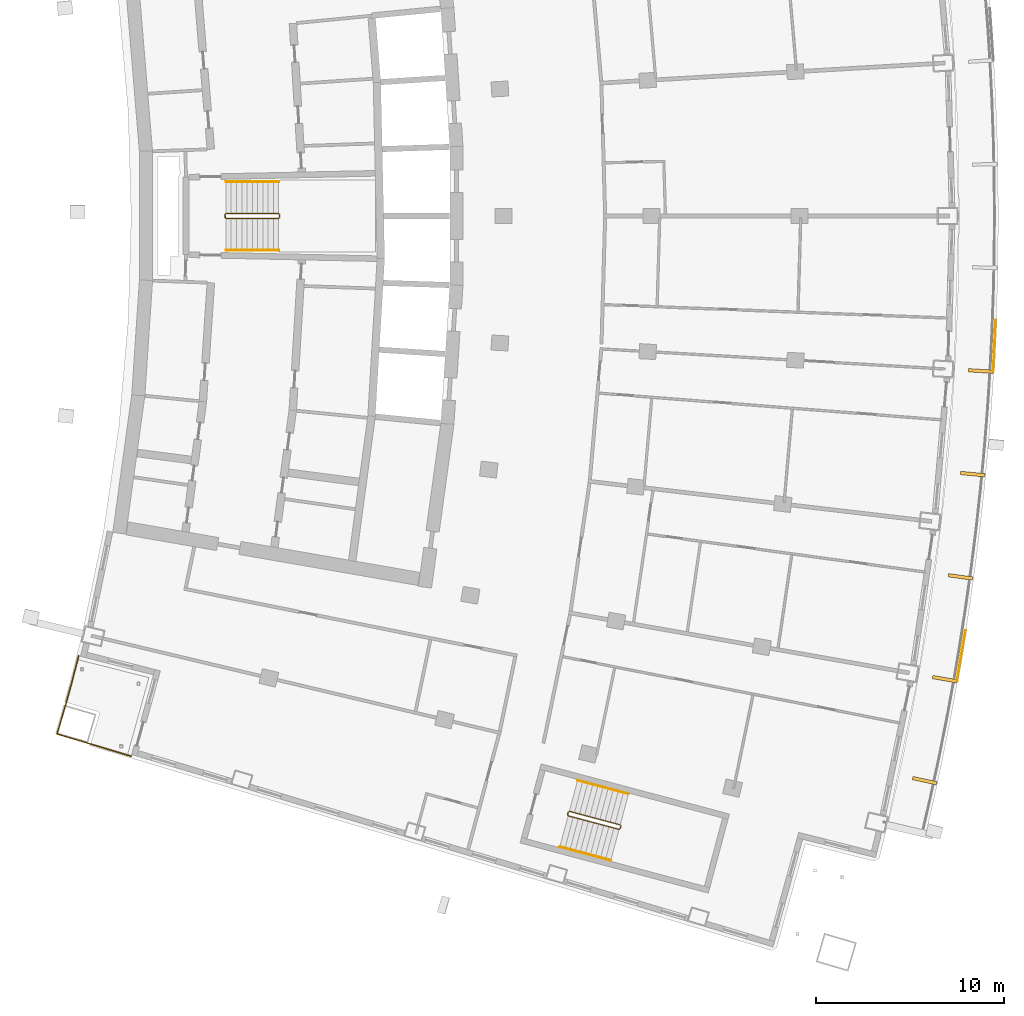
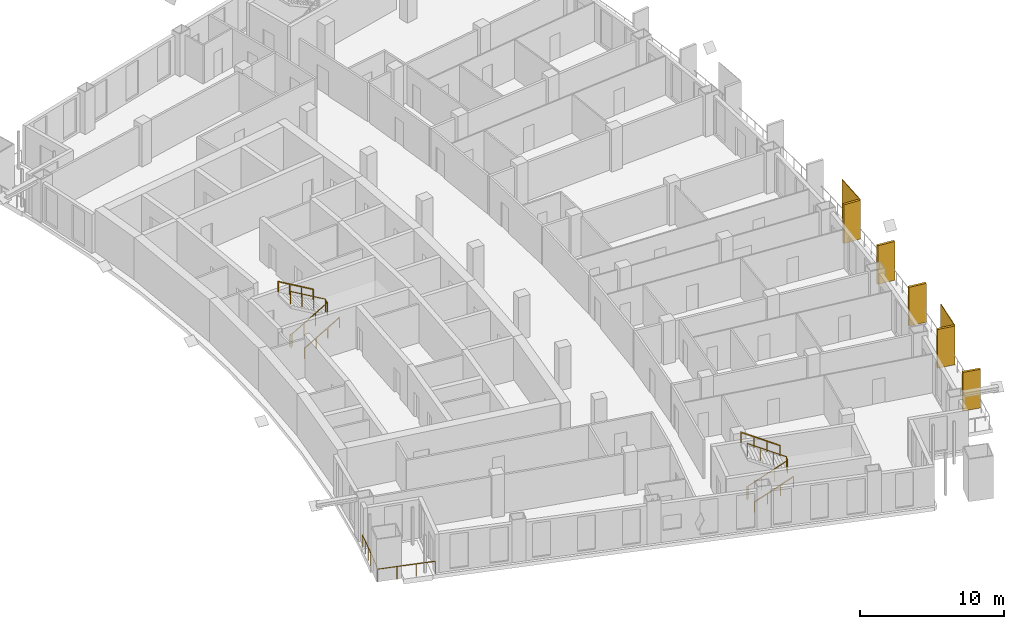
# One storey, part 18 of 20: 7 railings, 7 shading devices.
"""IFC4 building model written with IfcOpenShell, lengths in metres."""

import ifcopenshell
import ifcopenshell.guid

model = None  # the IFC model being written
_history = None  # IfcOwnerHistory: only IFC2X3 demands one
_inside = {}  # id of a spatial element -> (the spatial element, [elements in it])
_under = {}  # id of a project, library or spatial element -> (it, [spatial elements below it])
_declared = {}  # id of a project -> (the project, [libraries it declares])
_typed = {}  # id of a type object -> (the type object, [elements of that type])
_made_of = {}  # id of a material, layer set ... -> (it, [elements and type objects made of it])


def new_model(schema):
    """Start an empty IFC model of exactly this schema.

    Asked for "IFC4X3", IfcOpenShell would pick the latest addendum, in which some entities
    have other attributes; the version numbers below select the first issue.
    IFC2X3 requires an IfcOwnerHistory on every rooted entity: one is made here for all.
    """
    global model, _history
    if schema == "IFC4X3":
        model = ifcopenshell.file(schema_version=(4, 3, 0, 0))
    else:
        model = ifcopenshell.file(schema=schema)
    _inside.clear()
    _under.clear()
    _declared.clear()
    _typed.clear()
    _made_of.clear()
    _history = None
    if model.schema == "IFC2X3":
        org = make("IfcOrganization", Name="unknown")
        user = make(
            "IfcPersonAndOrganization",
            ThePerson=make("IfcPerson", FamilyName="unknown"),
            TheOrganization=org,
        )
        app = make(
            "IfcApplication",
            ApplicationDeveloper=org,
            Version="unknown",
            ApplicationFullName="unknown",
            ApplicationIdentifier="unknown",
        )
        _history = make(
            "IfcOwnerHistory",
            OwningUser=user,
            OwningApplication=app,
            ChangeAction="ADDED",
            CreationDate=0,
        )
    return model


def make(cls, **values):
    """One entity of the class cls with the attributes given. An attribute that is None is left unset."""
    return model.create_entity(
        cls, **{name: value for name, value in values.items() if value is not None}
    )


def rooted(cls, **values):
    """An entity with a GlobalId (a new one), such as an element, a storey or a relation."""
    return make(cls, GlobalId=ifcopenshell.guid.new(), OwnerHistory=_history, **values)


def si_unit(unit_type, name, prefix=None):
    """IfcSIUnit, for example si_unit("LENGTHUNIT", "METRE", prefix="MILLI")."""
    return make("IfcSIUnit", UnitType=unit_type, Prefix=prefix, Name=name)


def assignment(units):
    """IfcUnitAssignment: the units of a project."""
    return None if units is None else make("IfcUnitAssignment", Units=units)


def point(xyz):
    """IfcCartesianPoint."""
    return None if xyz is None else make("IfcCartesianPoint", Coordinates=xyz)


def direction(xyz):
    """IfcDirection."""
    return None if xyz is None else make("IfcDirection", DirectionRatios=xyz)


def frame(location, z_axis=None, x_axis=None):
    """IfcAxis2Placement3D, a coordinate frame: its origin and axes. An axis left out is left unset."""
    return make(
        "IfcAxis2Placement3D",
        Location=point(location),
        Axis=direction(z_axis),
        RefDirection=direction(x_axis),
    )


def frame_2d(location, x_axis=None):
    """IfcAxis2Placement2D, a coordinate frame in the plane: its origin and x axis."""
    return make(
        "IfcAxis2Placement2D", Location=point(location), RefDirection=direction(x_axis)
    )


def origin():
    """The frame at (0, 0, 0) with its axes left unset."""
    return frame((0.0, 0.0, 0.0))


def origin_with_axes():
    """The frame at (0, 0, 0) with the z axis (0, 0, 1) and the x axis (1, 0, 0) written out."""
    return frame((0.0, 0.0, 0.0), z_axis=(0.0, 0.0, 1.0), x_axis=(1.0, 0.0, 0.0))


def origin_2d():
    """The frame at (0, 0) in the plane with its x axis left unset."""
    return frame_2d((0.0, 0.0))


def place(relative_to, where):
    """IfcLocalPlacement: puts the frame where relative to a parent placement (None: the world)."""
    return make(
        "IfcLocalPlacement", PlacementRelTo=relative_to, RelativePlacement=where
    )


def context(
    kind, dimensions, precision=None, world=None, true_north=None, identifier=None
):
    """IfcGeometricRepresentationContext, for example the 3D "Model" context."""
    return make(
        "IfcGeometricRepresentationContext",
        ContextIdentifier=identifier,
        ContextType=kind,
        CoordinateSpaceDimension=dimensions,
        Precision=precision,
        WorldCoordinateSystem=world,
        TrueNorth=true_north,
    )


def subcontext(parent, identifier, kind, view, scale=None):
    """IfcGeometricRepresentationSubContext, for example "Body" below "Model"."""
    return make(
        "IfcGeometricRepresentationSubContext",
        ContextIdentifier=identifier,
        ContextType=kind,
        ParentContext=parent,
        TargetScale=scale,
        TargetView=view,
    )


def project(units=None, contexts=None):
    """IfcProject with its units and contexts."""
    return rooted(
        "IfcProject",
        Name="project",
        RepresentationContexts=contexts,
        UnitsInContext=assignment(units),
    )


def spatial(cls, under=None, at=None, **own):
    """A site, building, storey or space (cls), placed at a placement, below another one or the project."""
    s = rooted(cls, ObjectPlacement=at, **own)
    if under is not None:
        _under.setdefault(under.id(), (under, []))[1].append(s)
    return s


def profile(cls, at=None, kind="AREA", **sizes):
    """A parametric profile (cls). Its sizes go by their IFC names, for example OverallWidth=200.0."""
    return make(cls, ProfileType=kind, Position=at, **sizes)


def rectangle(**sizes):
    """IfcRectangleProfileDef."""
    return profile("IfcRectangleProfileDef", **sizes)


def extrude(swept, where, along, depth):
    """IfcExtrudedAreaSolid: the profile swept, set in the frame where, extruded along a direction by depth."""
    return make(
        "IfcExtrudedAreaSolid",
        SweptArea=swept,
        Position=where,
        ExtrudedDirection=direction(along),
        Depth=depth,
    )


def shape(context_of_items, identifier, shape_type, items):
    """IfcShapeRepresentation: the items that make up one representation, for example the "Body"."""
    return make(
        "IfcShapeRepresentation",
        ContextOfItems=context_of_items,
        RepresentationIdentifier=identifier,
        RepresentationType=shape_type,
        Items=items,
    )


def material(Name=None, Category=None):
    """IfcMaterial."""
    return make("IfcMaterial", Name=Name, Category=Category)


def layer(
    of_material, thickness, ventilated=None, Name=None, Category=None, Priority=None
):
    """IfcMaterialLayer: one layer of a wall or slab, of a material (None: an air gap)."""
    return make(
        "IfcMaterialLayer",
        Material=of_material,
        LayerThickness=thickness,
        IsVentilated=ventilated,
        Name=Name,
        Category=Category,
        Priority=Priority,
    )


def layer_set(layers, Name=None):
    """IfcMaterialLayerSet."""
    return make("IfcMaterialLayerSet", MaterialLayers=layers, LayerSetName=Name)


def made_of(thing, what):
    """Note that an element or type object is made of a material, layer set ...; save() writes the relation."""
    if what is not None:
        _made_of.setdefault(what.id(), (what, []))[1].append(thing)
    return thing


def type_object(cls, material=None, **own):
    """A type object (cls), such as IfcWallType, which elements share."""
    return made_of(rooted(cls, **own), material)


def element(
    cls,
    number,
    at=None,
    inside=None,
    cuts=None,
    type_object=None,
    material=None,
    context=None,
    identifier="Body",
    shape_type=None,
    held_by="IfcProductDefinitionShape",
    body=None,
    shapes=None,
    **own,
):
    """One element of the class cls, such as IfcWall. Its Tag is "e" and its number.

    at: its placement. inside: the storey or other place that contains it. cuts: it is an
    opening in that element (IfcRelVoidsElement). A single representation is given by context,
    identifier, shape_type and body (its items); several are given by shapes. held_by: the class
    of the entity that holds the representations. save() writes the other relations.
    """
    e = rooted(cls, Tag="e%d" % number, ObjectPlacement=at, **own)
    if body is not None:
        shapes = [shape(context, identifier, shape_type, body)]
    if shapes is not None:
        e.Representation = make(held_by, Representations=shapes)
    if inside is not None:
        _inside.setdefault(inside.id(), (inside, []))[1].append(e)
    if cuts is not None:
        rooted(
            "IfcRelVoidsElement", RelatingBuildingElement=cuts, RelatedOpeningElement=e
        )
    if type_object is not None:
        _typed.setdefault(type_object.id(), (type_object, []))[1].append(e)
    return made_of(e, material)


def aggregate(whole, parts):
    """IfcRelAggregates: a whole, such as a stair, and the parts it consists of."""
    return rooted("IfcRelAggregates", RelatingObject=whole, RelatedObjects=parts)


def save(model, path):
    """Write the relations noted so far, then the file.

    IfcRelAggregates (storeys below a building ...), IfcRelContainedInSpatialStructure (elements
    in a storey), IfcRelDefinesByType, IfcRelAssociatesMaterial and IfcRelDeclares: one each for
    every whole, place, type object, material and project.
    """
    for whole, parts in _under.values():
        aggregate(whole, parts)
    for where, things in _inside.values():
        rooted(
            "IfcRelContainedInSpatialStructure",
            RelatedElements=things,
            RelatingStructure=where,
        )
    for kind, things in _typed.values():
        rooted("IfcRelDefinesByType", RelatedObjects=things, RelatingType=kind)
    for what, things in _made_of.values():
        rooted("IfcRelAssociatesMaterial", RelatedObjects=things, RelatingMaterial=what)
    for by, libraries in _declared.values():
        rooted("IfcRelDeclares", RelatingContext=by, RelatedDefinitions=libraries)
    model.write(path)


model = new_model("IFC4")

# Units and contexts
model_context = context("Model", 3, precision=1e-05, world=origin(), true_north=direction((0.0, 1.0)))
body_context = subcontext(model_context, "Body", "Model", "MODEL_VIEW")
ifc_project = project(units=[si_unit("LENGTHUNIT", "METRE"), si_unit("AREAUNIT", "SQUARE_METRE"), si_unit("VOLUMEUNIT", "CUBIC_METRE"), si_unit("PLANEANGLEUNIT", "RADIAN"), si_unit("MASSUNIT", "GRAM", prefix="KILO")], contexts=[model_context])

# Site, building, storey
site_placement = place(None, origin())
site = spatial("IfcSite", under=ifc_project, at=site_placement, CompositionType="ELEMENT")
building_placement = place(site_placement, origin())
building = spatial("IfcBuilding", under=site, at=building_placement, Name="Alderwake Tower", CompositionType="ELEMENT")
storey_placement = place(building_placement, frame((0.0, 0.0, 167.60009765625)))
storey = spatial("IfcBuildingStorey", under=building, at=storey_placement, Name="L41", CompositionType="ELEMENT", Elevation=167.60009765625)

# Railing
ifc_material_1 = material(Name="Stainless steel 316 rail and posts", Category="steel")
railing_type_1 = type_object("IfcRailingType", Name="Balcony guard 1100", PredefinedType="GUARDRAIL", material=ifc_material_1)
railing_1_placement = place(storey_placement, frame((13.210693359375, 37.612548828125, 0.0)))
element("IfcRailing", 1, at=railing_1_placement, inside=storey, type_object=railing_type_1, Name="Guard terrace RS", PredefinedType="GUARDRAIL", context=body_context, shape_type="SweptSolid", body=[
    extrude(rectangle(XDim=0.048095703125, YDim=0.048095703125, at=origin_2d()), frame((0.0, 0.0, 1.076171875), z_axis=(-0.251385381433, -0.967887075026, 0.0), x_axis=(0.967887075026, -0.251385381433, 0.0)), (0.0, 0.0, 1.0), 1.6015625),
    extrude(rectangle(XDim=0.048095703125, YDim=0.048095703125, at=origin_2d()), frame((-0.402587890625, -1.550048828125, 1.076171875), z_axis=(-0.266520638672, -0.963829211615, 0.0), x_axis=(0.963829211615, -0.266520638672, 0.0)), (0.0, 0.0, 1.0), 1.401611328125),
    extrude(rectangle(XDim=0.048095703125, YDim=0.048095703125, at=origin_2d()), frame((-0.776123046875, -2.90087890625, 1.076171875), z_axis=(-0.280093650878, -0.959972680204, 0.0), x_axis=(0.959972680204, -0.280093650878, 0.0)), (0.0, 0.0, 1.0), 1.30126953125),
    extrude(rectangle(XDim=0.048095703125, YDim=0.048095703125, at=origin_2d()), frame((-1.140625, -4.150146484375, 1.076171875), z_axis=(0.958066871889, -0.286544706789, 0.0), x_axis=(0.286544706789, 0.958066871889, 0.0)), (0.0, 0.0, 1.0), 4.099853515625),
    extrude(rectangle(XDim=0.0419921875, YDim=0.0419921875, at=origin_2d()), frame((0.0, 0.0, 0.0), z_axis=(0.0, 0.0, 1.0), x_axis=(-0.251385381433, -0.967887075026, 0.0)), (0.0, 0.0, 1.0), 1.052001953125),
    extrude(rectangle(XDim=0.0419921875, YDim=0.0419921875, at=origin_2d()), frame((-0.201171875, -0.77490234375, 0.0), z_axis=(0.0, 0.0, 1.0), x_axis=(-0.251385381433, -0.967887075026, 0.0)), (0.0, 0.0, 1.0), 1.052001953125),
    extrude(rectangle(XDim=0.0419921875, YDim=0.0419921875, at=origin_2d()), frame((-0.402587890625, -1.550048828125, 0.0), z_axis=(0.0, 0.0, 1.0), x_axis=(-0.266520638672, -0.963829211615, 0.0)), (0.0, 0.0, 1.0), 1.052001953125),
    extrude(rectangle(XDim=0.0419921875, YDim=0.0419921875, at=origin_2d()), frame((-0.58935546875, -2.2255859375, 0.0), z_axis=(0.0, 0.0, 1.0), x_axis=(-0.266520638672, -0.963829211615, 0.0)), (0.0, 0.0, 1.0), 1.052001953125),
    extrude(rectangle(XDim=0.0419921875, YDim=0.0419921875, at=origin_2d()), frame((-0.776123046875, -2.90087890625, 0.0), z_axis=(0.0, 0.0, 1.0), x_axis=(-0.280093650878, -0.959972680204, 0.0)), (0.0, 0.0, 1.0), 1.052001953125),
    extrude(rectangle(XDim=0.0419921875, YDim=0.0419921875, at=origin_2d()), frame((-1.140625, -4.150146484375, 0.0), z_axis=(0.0, 0.0, 1.0), x_axis=(0.958066871889, -0.286544706789, 0.0)), (0.0, 0.0, 1.0), 1.052001953125),
    extrude(rectangle(XDim=0.0419921875, YDim=0.0419921875, at=origin_2d()), frame((0.168701171875, -4.541748046875, 0.0), z_axis=(0.0, 0.0, 1.0), x_axis=(0.958066871889, -0.286544706789, 0.0)), (0.0, 0.0, 1.0), 1.052001953125),
    extrude(rectangle(XDim=0.0419921875, YDim=0.0419921875, at=origin_2d()), frame((1.47802734375, -4.933349609375, 0.0), z_axis=(0.0, 0.0, 1.0), x_axis=(0.958066871889, -0.286544706789, 0.0)), (0.0, 0.0, 1.0), 1.052001953125),
    extrude(rectangle(XDim=0.0419921875, YDim=0.0419921875, at=origin_2d()), frame((2.787353515625, -5.324951171875, 0.0), z_axis=(0.0, 0.0, 1.0), x_axis=(0.958066871889, -0.286544706789, 0.0)), (0.0, 0.0, 1.0), 1.052001953125),
])

# Shading devices
ifc_material_2 = material(Name="Bronze anodised aluminium", Category="aluminium")
ifc_layer_1 = layer(ifc_material_2, 0.179931640625)
ifc_layer_set_1 = layer_set([ifc_layer_1], Name="Facade fin 1300")
shading_device_type_1 = type_object("IfcShadingDeviceType", Name="Facade fin 1300", PredefinedType="USERDEFINED", material=ifc_layer_set_1)
for number, where, z_axis, x_axis, name in (
    (2, (58.177490234375, 30.984619140625, 0.0), (0.0, 0.0, 1.0), (0.977210363881, -0.212273184185, 0.0), "Fin"),
    (3, (59.240234375, 36.381103515625, 0.0), (0.0, 0.0, 1.0), (0.984726421654, -0.174108800747, 0.0), "Fin"),
    (4, (60.09228515625, 41.814697265625, 0.0), (0.0, 0.0, 1.0), (0.990752577235, -0.135680988728, 0.0), "Fin"),
    (5, (60.732666015625, 47.277587890625, 0.0), (0.0, 0.0, 1.0), (0.995279882363, -0.097046152751, 0.0), "Fin"),
    (6, (61.159912109375, 52.760986328125, 0.0), (0.0, 0.0, 1.0), (0.998301080988, -0.058266214038, 0.0), "Fin"),
):
    element("IfcShadingDevice", number, at=place(storey_placement, frame(where, z_axis=z_axis, x_axis=x_axis)), inside=storey, type_object=shading_device_type_1, Name=name, ObjectType="FIN", PredefinedType="USERDEFINED", context=body_context, shape_type="SweptSolid", body=[
        extrude(rectangle(XDim=1.300048828125, YDim=0.179931640625, at=origin_2d()), origin(), (0.0, 0.0, 1.0), 3.280029296875),
    ])
ifc_material_3 = material(Name="Perforated bronze anodised aluminium", Category="aluminium")
ifc_layer_2 = layer(ifc_material_3, 0.050048828125)
ifc_layer_set_2 = layer_set([ifc_layer_2], Name="Perforated screen panel")
shading_device_type_2 = type_object("IfcShadingDeviceType", Name="Perforated screen panel", PredefinedType="USERDEFINED", material=ifc_layer_set_2)
for number, where, z_axis, x_axis, name in (
    (7, (60.1318359375, 37.622802734375, 0.0), (0.0, 0.0, 1.0), (0.986369013299, -0.164548380739, 0.0), "Screen panel"),
    (8, (61.900634765625, 54.09814453125, 0.0), (0.0, 0.0, 1.0), (0.998819231138, -0.048581308217, 0.0), "Screen panel"),
):
    element("IfcShadingDevice", number, at=place(storey_placement, frame(where, z_axis=z_axis, x_axis=x_axis)), inside=storey, type_object=shading_device_type_2, Name=name, ObjectType="SCREEN", PredefinedType="USERDEFINED", context=body_context, shape_type="SweptSolid", body=[
        extrude(rectangle(XDim=0.050048828125, YDim=2.756103515625, at=origin_2d()), origin(), (0.0, 0.0, 1.0), 3.280029296875),
    ])

# Railings
ifc_material_4 = material(Name="Stainless steel guard", Category="steel")
railing_type_2 = type_object("IfcRailingType", Name="Stair guard 1100", PredefinedType="GUARDRAIL", material=ifc_material_4)
railing_2_placement = place(storey_placement, frame((20.989990234375, 60.925048828125, 0.0)))
element("IfcRailing", 9, at=railing_2_placement, inside=storey, type_object=railing_type_2, Name="L41 ST-B stair guard 1", PredefinedType="GUARDRAIL", context=body_context, shape_type="SweptSolid", body=[
    extrude(rectangle(XDim=0.048095703125, YDim=0.048095703125, at=origin_2d()), frame((0.0, 0.0, 1.076171875), z_axis=(0.0, 1.0, 0.0), x_axis=(-1.0, 0.0, 0.0)), (0.0, 0.0, 1.0), 0.14990234375),
    extrude(rectangle(XDim=0.048095703125, YDim=0.048095703125, at=origin_2d()), frame((0.0, 0.14990234375, 1.076171875), z_axis=(0.190199549216, -0.759870394187, 0.621627795), x_axis=(0.970072785993, 0.242814311512, 0.0)), (0.0, 0.0, 1.0), 0.26318359375),
    extrude(rectangle(XDim=0.048095703125, YDim=0.048095703125, at=origin_2d()), frame((0.050048828125, -0.050048828125, 1.23974609375), z_axis=(0.863393664356, 0.0, 0.504530851732), x_axis=(0.0, 1.0, 0.0)), (0.0, 0.0, 1.0), 3.2431640625),
    extrude(rectangle(XDim=0.048095703125, YDim=0.048095703125, at=origin_2d()), frame((2.85009765625, -0.050048828125, 2.8759765625), z_axis=(0.705375805398, 0.708833529934, 0.0), x_axis=(-0.708833529934, 0.705375805398, 0.0)), (0.0, 0.0, 1.0), 0.070556640625),
    extrude(rectangle(XDim=0.048095703125, YDim=0.048095703125, at=origin_2d()), frame((2.89990234375, 0.0, 2.8759765625), z_axis=(0.0, 1.0, 0.0), x_axis=(-1.0, 0.0, 0.0)), (0.0, 0.0, 1.0), 0.14990234375),
    extrude(rectangle(XDim=0.048095703125, YDim=0.048095703125, at=origin_2d()), frame((2.89990234375, 0.14990234375, 2.8759765625), z_axis=(-0.279194930351, 0.280563532951, 0.91833234444), x_axis=(-0.708833529934, -0.705375805398, 0.0)), (0.0, 0.0, 1.0), 0.178466796875),
    extrude(rectangle(XDim=0.048095703125, YDim=0.048095703125, at=origin_2d()), frame((2.85009765625, 0.199951171875, 3.03955078125), z_axis=(-0.863393664356, 0.0, 0.504530851732), x_axis=(0.0, -1.0, 0.0)), (0.0, 0.0, 1.0), 3.2431640625),
    extrude(rectangle(XDim=0.0419921875, YDim=0.0419921875, at=origin_2d()), frame((0.0, 0.0, 0.0), z_axis=(0.0, 0.0, 1.0), x_axis=(0.0, 1.0, 0.0)), (0.0, 0.0, 1.0), 1.052001953125),
    extrude(rectangle(XDim=0.0419921875, YDim=0.0419921875, at=origin_2d()), frame((0.0, 0.14990234375, 0.0), z_axis=(0.0, 0.0, 1.0), x_axis=(0.242814311512, -0.970072785993, 0.0)), (0.0, 0.0, 1.0), 1.052001953125),
    extrude(rectangle(XDim=0.0419921875, YDim=0.0419921875, at=origin_2d()), frame((0.050048828125, -0.050048828125, 0.16357421875), z_axis=(0.0, 0.0, 1.0), x_axis=(1.0, 0.0, 0.0)), (0.0, 0.0, 1.0), 1.052001953125),
    extrude(rectangle(XDim=0.0419921875, YDim=0.0419921875, at=origin_2d()), frame((0.9833984375, -0.050048828125, 0.708984375), z_axis=(0.0, 0.0, 1.0), x_axis=(1.0, 0.0, 0.0)), (0.0, 0.0, 1.0), 1.052001953125),
    extrude(rectangle(XDim=0.0419921875, YDim=0.0419921875, at=origin_2d()), frame((1.916748046875, -0.050048828125, 1.25439453125), z_axis=(0.0, 0.0, 1.0), x_axis=(1.0, 0.0, 0.0)), (0.0, 0.0, 1.0), 1.052001953125),
    extrude(rectangle(XDim=0.0419921875, YDim=0.0419921875, at=origin_2d()), frame((2.85009765625, -0.050048828125, 1.7998046875), z_axis=(0.0, 0.0, 1.0), x_axis=(0.705375805398, 0.708833529934, 0.0)), (0.0, 0.0, 1.0), 1.052001953125),
    extrude(rectangle(XDim=0.0419921875, YDim=0.0419921875, at=origin_2d()), frame((2.89990234375, 0.0, 1.7998046875), z_axis=(0.0, 0.0, 1.0), x_axis=(0.0, 1.0, 0.0)), (0.0, 0.0, 1.0), 1.052001953125),
    extrude(rectangle(XDim=0.0419921875, YDim=0.0419921875, at=origin_2d()), frame((2.89990234375, 0.14990234375, 1.7998046875), z_axis=(0.0, 0.0, 1.0), x_axis=(-0.705375805398, 0.708833529934, 0.0)), (0.0, 0.0, 1.0), 1.052001953125),
    extrude(rectangle(XDim=0.0419921875, YDim=0.0419921875, at=origin_2d()), frame((2.85009765625, 0.199951171875, 1.963623046875), z_axis=(0.0, 0.0, 1.0), x_axis=(-1.0, 0.0, 0.0)), (0.0, 0.0, 1.0), 1.052001953125),
    extrude(rectangle(XDim=0.0419921875, YDim=0.0419921875, at=origin_2d()), frame((1.916748046875, 0.199951171875, 2.509033203125), z_axis=(0.0, 0.0, 1.0), x_axis=(-1.0, 0.0, 0.0)), (0.0, 0.0, 1.0), 1.052001953125),
    extrude(rectangle(XDim=0.0419921875, YDim=0.0419921875, at=origin_2d()), frame((0.9833984375, 0.199951171875, 3.054443359375), z_axis=(0.0, 0.0, 1.0), x_axis=(-1.0, 0.0, 0.0)), (0.0, 0.0, 1.0), 1.052001953125),
    extrude(rectangle(XDim=0.0419921875, YDim=0.0419921875, at=origin_2d()), frame((0.050048828125, 0.199951171875, 3.599853515625), z_axis=(0.0, 0.0, 1.0), x_axis=(-1.0, 0.0, 0.0)), (0.0, 0.0, 1.0), 1.052001953125),
])
railing_3_placement = place(storey_placement, frame((39.1943359375, 29.17431640625, 0.0)))
element("IfcRailing", 10, at=railing_3_placement, inside=storey, type_object=railing_type_2, Name="L41 ST-C stair guard 1", PredefinedType="GUARDRAIL", context=body_context, shape_type="SweptSolid", body=[
    extrude(rectangle(XDim=0.048095703125, YDim=0.048095703125, at=origin_2d()), frame((0.0, 0.0, 1.076171875), z_axis=(0.257459803502, 0.966289009345, 0.0), x_axis=(-0.966289009345, 0.257459803502, 0.0)), (0.0, 0.0, 1.0), 0.14990234375),
    extrude(rectangle(XDim=0.048095703125, YDim=0.048095703125, at=origin_2d()), frame((0.03857421875, 0.144775390625, 1.076171875), z_axis=(-0.012062893862, -0.783160186125, 0.621702991355), x_axis=(0.999881397308, -0.015401016783, 0.0)), (0.0, 0.0, 1.0), 0.26318359375),
    extrude(rectangle(XDim=0.048095703125, YDim=0.048095703125, at=origin_2d()), frame((0.035400390625, -0.061279296875, 1.23974609375), z_axis=(0.834313512087, -0.222222637163, 0.504517653885), x_axis=(0.257380452725, 0.966310148221, 0.0)), (0.0, 0.0, 1.0), 3.2431640625),
    extrude(rectangle(XDim=0.048095703125, YDim=0.048095703125, at=origin_2d()), frame((2.7412109375, -0.781982421875, 2.8759765625), z_axis=(0.865031189262, 0.501718089772, 0.0), x_axis=(-0.501718089772, 0.865031189262, 0.0)), (0.0, 0.0, 1.0), 0.070556640625),
    extrude(rectangle(XDim=0.048095703125, YDim=0.048095703125, at=origin_2d()), frame((2.80224609375, -0.74658203125, 2.8759765625), z_axis=(0.257055032184, 0.966396766566, 0.0), x_axis=(-0.966396766566, 0.257055032184, 0.0)), (0.0, 0.0, 1.0), 0.150146484375),
    extrude(rectangle(XDim=0.048095703125, YDim=0.048095703125, at=origin_2d()), frame((2.8408203125, -0.6015625, 2.8759765625), z_axis=(-0.198375862152, 0.343395457933, 0.918001403477), x_axis=(-0.865898279276, -0.500220121494, 0.0)), (0.0, 0.0, 1.0), 0.178466796875),
    extrude(rectangle(XDim=0.048095703125, YDim=0.048095703125, at=origin_2d()), frame((2.805419921875, -0.540283203125, 3.03955078125), z_axis=(-0.834290631165, 0.222236594766, 0.504549342183), x_axis=(-0.257402139082, -0.966304371715, 0.0)), (0.0, 0.0, 1.0), 3.242919921875),
    extrude(rectangle(XDim=0.0419921875, YDim=0.0419921875, at=origin_2d()), frame((0.0, 0.0, 0.0), z_axis=(0.0, 0.0, 1.0), x_axis=(0.257459803502, 0.966289009345, 0.0)), (0.0, 0.0, 1.0), 1.052001953125),
    extrude(rectangle(XDim=0.0419921875, YDim=0.0419921875, at=origin_2d()), frame((0.03857421875, 0.144775390625, 0.0), z_axis=(0.0, 0.0, 1.0), x_axis=(-0.015401016783, -0.999881397308, 0.0)), (0.0, 0.0, 1.0), 1.052001953125),
    extrude(rectangle(XDim=0.0419921875, YDim=0.0419921875, at=origin_2d()), frame((0.035400390625, -0.061279296875, 0.16357421875), z_axis=(0.0, 0.0, 1.0), x_axis=(0.966310148221, -0.257380452725, 0.0)), (0.0, 0.0, 1.0), 1.052001953125),
    extrude(rectangle(XDim=0.0419921875, YDim=0.0419921875, at=origin_2d()), frame((0.937255859375, -0.301513671875, 0.708984375), z_axis=(0.0, 0.0, 1.0), x_axis=(0.966310148221, -0.257380452725, 0.0)), (0.0, 0.0, 1.0), 1.052001953125),
    extrude(rectangle(XDim=0.0419921875, YDim=0.0419921875, at=origin_2d()), frame((1.83935546875, -0.541748046875, 1.25439453125), z_axis=(0.0, 0.0, 1.0), x_axis=(0.966310148221, -0.257380452725, 0.0)), (0.0, 0.0, 1.0), 1.052001953125),
    extrude(rectangle(XDim=0.0419921875, YDim=0.0419921875, at=origin_2d()), frame((2.7412109375, -0.781982421875, 1.7998046875), z_axis=(0.0, 0.0, 1.0), x_axis=(0.865031189262, 0.501718089772, 0.0)), (0.0, 0.0, 1.0), 1.052001953125),
    extrude(rectangle(XDim=0.0419921875, YDim=0.0419921875, at=origin_2d()), frame((2.80224609375, -0.74658203125, 1.7998046875), z_axis=(0.0, 0.0, 1.0), x_axis=(0.257055032184, 0.966396766566, 0.0)), (0.0, 0.0, 1.0), 1.052001953125),
    extrude(rectangle(XDim=0.0419921875, YDim=0.0419921875, at=origin_2d()), frame((2.8408203125, -0.6015625, 1.7998046875), z_axis=(0.0, 0.0, 1.0), x_axis=(-0.500220121494, 0.865898279276, 0.0)), (0.0, 0.0, 1.0), 1.052001953125),
    extrude(rectangle(XDim=0.0419921875, YDim=0.0419921875, at=origin_2d()), frame((2.805419921875, -0.540283203125, 1.963623046875), z_axis=(0.0, 0.0, 1.0), x_axis=(-0.966304371715, 0.257402139082, 0.0)), (0.0, 0.0, 1.0), 1.052001953125),
    extrude(rectangle(XDim=0.0419921875, YDim=0.0419921875, at=origin_2d()), frame((1.903564453125, -0.300048828125, 2.509033203125), z_axis=(0.0, 0.0, 1.0), x_axis=(-0.966304371715, 0.257402139082, 0.0)), (0.0, 0.0, 1.0), 1.052001953125),
    extrude(rectangle(XDim=0.0419921875, YDim=0.0419921875, at=origin_2d()), frame((1.001708984375, -0.059814453125, 3.054443359375), z_axis=(0.0, 0.0, 1.0), x_axis=(-0.966304371715, 0.257402139082, 0.0)), (0.0, 0.0, 1.0), 1.052001953125),
    extrude(rectangle(XDim=0.0419921875, YDim=0.0419921875, at=origin_2d()), frame((0.099853515625, 0.180419921875, 3.599853515625), z_axis=(0.0, 0.0, 1.0), x_axis=(-0.966304371715, 0.257402139082, 0.0)), (0.0, 0.0, 1.0), 1.052001953125),
])
ifc_material_5 = material(Name="Stainless steel handrail", Category="steel")
railing_type_3 = type_object("IfcRailingType", Name="Stair handrail 900", PredefinedType="HANDRAIL", material=ifc_material_5)
railing_4_placement = place(storey_placement, frame((21.0400390625, 59.175048828125, 0.16357421875)))
element("IfcRailing", 11, at=railing_4_placement, inside=storey, type_object=railing_type_3, Name="L41 ST-B stair handrail 1", PredefinedType="HANDRAIL", context=body_context, shape_type="SweptSolid", body=[
    extrude(rectangle(XDim=0.048095703125, YDim=0.048095703125, at=origin_2d()), frame((0.0, 0.0, 0.8759765625), z_axis=(0.863393664356, 0.0, 0.504530851732), x_axis=(0.0, 1.0, 0.0)), (0.0, 0.0, 1.0), 3.2431640625),
    extrude(rectangle(XDim=0.0419921875, YDim=0.0419921875, at=origin_2d()), origin_with_axes(), (0.0, 0.0, 1.0), 0.851806640625),
    extrude(rectangle(XDim=0.0419921875, YDim=0.0419921875, at=origin_2d()), frame((0.933349609375, 0.0, 0.54541015625), z_axis=(0.0, 0.0, 1.0), x_axis=(1.0, 0.0, 0.0)), (0.0, 0.0, 1.0), 0.851806640625),
    extrude(rectangle(XDim=0.0419921875, YDim=0.0419921875, at=origin_2d()), frame((1.86669921875, 0.0, 1.0908203125), z_axis=(0.0, 0.0, 1.0), x_axis=(1.0, 0.0, 0.0)), (0.0, 0.0, 1.0), 0.851806640625),
    extrude(rectangle(XDim=0.0419921875, YDim=0.0419921875, at=origin_2d()), frame((2.800048828125, 0.0, 1.63623046875), z_axis=(0.0, 0.0, 1.0), x_axis=(1.0, 0.0, 0.0)), (0.0, 0.0, 1.0), 0.851806640625),
])
railing_5_placement = place(storey_placement, frame((23.840087890625, 62.824951171875, 1.963623046875)))
element("IfcRailing", 12, at=railing_5_placement, inside=storey, type_object=railing_type_3, Name="L41 ST-B stair handrail 2", PredefinedType="HANDRAIL", context=body_context, shape_type="SweptSolid", body=[
    extrude(rectangle(XDim=0.048095703125, YDim=0.048095703125, at=origin_2d()), frame((0.0, 0.0, 0.8759765625), z_axis=(-0.863393664356, 0.0, 0.504530851732), x_axis=(0.0, -1.0, 0.0)), (0.0, 0.0, 1.0), 3.2431640625),
    extrude(rectangle(XDim=0.0419921875, YDim=0.0419921875, at=origin_2d()), frame((0.0, 0.0, 0.0), z_axis=(0.0, 0.0, 1.0), x_axis=(-1.0, 0.0, 0.0)), (0.0, 0.0, 1.0), 0.851806640625),
    extrude(rectangle(XDim=0.0419921875, YDim=0.0419921875, at=origin_2d()), frame((-0.933349609375, 0.0, 0.54541015625), z_axis=(0.0, 0.0, 1.0), x_axis=(-1.0, 0.0, 0.0)), (0.0, 0.0, 1.0), 0.851806640625),
    extrude(rectangle(XDim=0.0419921875, YDim=0.0419921875, at=origin_2d()), frame((-1.86669921875, 0.0, 1.0908203125), z_axis=(0.0, 0.0, 1.0), x_axis=(-1.0, 0.0, 0.0)), (0.0, 0.0, 1.0), 0.851806640625),
    extrude(rectangle(XDim=0.0419921875, YDim=0.0419921875, at=origin_2d()), frame((-2.800048828125, 0.0, 1.63623046875), z_axis=(0.0, 0.0, 1.0), x_axis=(-1.0, 0.0, 0.0)), (0.0, 0.0, 1.0), 0.851806640625),
])
railing_6_placement = place(storey_placement, frame((38.792236328125, 27.47021484375, 0.16357421875)))
element("IfcRailing", 13, at=railing_6_placement, inside=storey, type_object=railing_type_3, Name="L41 ST-C stair handrail 1", PredefinedType="HANDRAIL", context=body_context, shape_type="SweptSolid", body=[
    extrude(rectangle(XDim=0.048095703125, YDim=0.048095703125, at=origin_2d()), frame((0.0, 0.0, 0.8759765625), z_axis=(0.834304587439, -0.222165027751, 0.504557782442), x_axis=(0.25732071773, 0.966326056891, 0.0)), (0.0, 0.0, 1.0), 3.242919921875),
    extrude(rectangle(XDim=0.0419921875, YDim=0.0419921875, at=origin_2d()), frame((0.0, 0.0, 0.0), z_axis=(0.0, 0.0, 1.0), x_axis=(0.966326056891, -0.25732071773, 0.0)), (0.0, 0.0, 1.0), 0.851806640625),
    extrude(rectangle(XDim=0.0419921875, YDim=0.0419921875, at=origin_2d()), frame((0.90185546875, -0.240234375, 0.54541015625), z_axis=(0.0, 0.0, 1.0), x_axis=(0.966326056891, -0.25732071773, 0.0)), (0.0, 0.0, 1.0), 0.851806640625),
    extrude(rectangle(XDim=0.0419921875, YDim=0.0419921875, at=origin_2d()), frame((1.8037109375, -0.480224609375, 1.0908203125), z_axis=(0.0, 0.0, 1.0), x_axis=(0.966326056891, -0.25732071773, 0.0)), (0.0, 0.0, 1.0), 0.851806640625),
    extrude(rectangle(XDim=0.0419921875, YDim=0.0419921875, at=origin_2d()), frame((2.70556640625, -0.720458984375, 1.63623046875), z_axis=(0.0, 0.0, 1.0), x_axis=(0.966326056891, -0.25732071773, 0.0)), (0.0, 0.0, 1.0), 0.851806640625),
])
railing_7_placement = place(storey_placement, frame((42.437255859375, 30.276611328125, 1.963623046875)))
element("IfcRailing", 14, at=railing_7_placement, inside=storey, type_object=railing_type_3, Name="L41 ST-C stair handrail 2", PredefinedType="HANDRAIL", context=body_context, shape_type="SweptSolid", body=[
    extrude(rectangle(XDim=0.048095703125, YDim=0.048095703125, at=origin_2d()), frame((0.0, 0.0, 0.8759765625), z_axis=(-0.834290631165, 0.222236594766, 0.504549342183), x_axis=(-0.257402139082, -0.966304371715, 0.0)), (0.0, 0.0, 1.0), 3.242919921875),
    extrude(rectangle(XDim=0.0419921875, YDim=0.0419921875, at=origin_2d()), frame((0.0, 0.0, 0.0), z_axis=(0.0, 0.0, 1.0), x_axis=(-0.966304371715, 0.257402139082, 0.0)), (0.0, 0.0, 1.0), 0.851806640625),
    extrude(rectangle(XDim=0.0419921875, YDim=0.0419921875, at=origin_2d()), frame((-0.90185546875, 0.240234375, 0.54541015625), z_axis=(0.0, 0.0, 1.0), x_axis=(-0.966304371715, 0.257402139082, 0.0)), (0.0, 0.0, 1.0), 0.851806640625),
    extrude(rectangle(XDim=0.0419921875, YDim=0.0419921875, at=origin_2d()), frame((-1.8037109375, 0.48046875, 1.0908203125), z_axis=(0.0, 0.0, 1.0), x_axis=(-0.966304371715, 0.257402139082, 0.0)), (0.0, 0.0, 1.0), 0.851806640625),
    extrude(rectangle(XDim=0.0419921875, YDim=0.0419921875, at=origin_2d()), frame((-2.70556640625, 0.720703125, 1.63623046875), z_axis=(0.0, 0.0, 1.0), x_axis=(-0.966304371715, 0.257402139082, 0.0)), (0.0, 0.0, 1.0), 0.851806640625),
])

save(model, "model.ifc")
